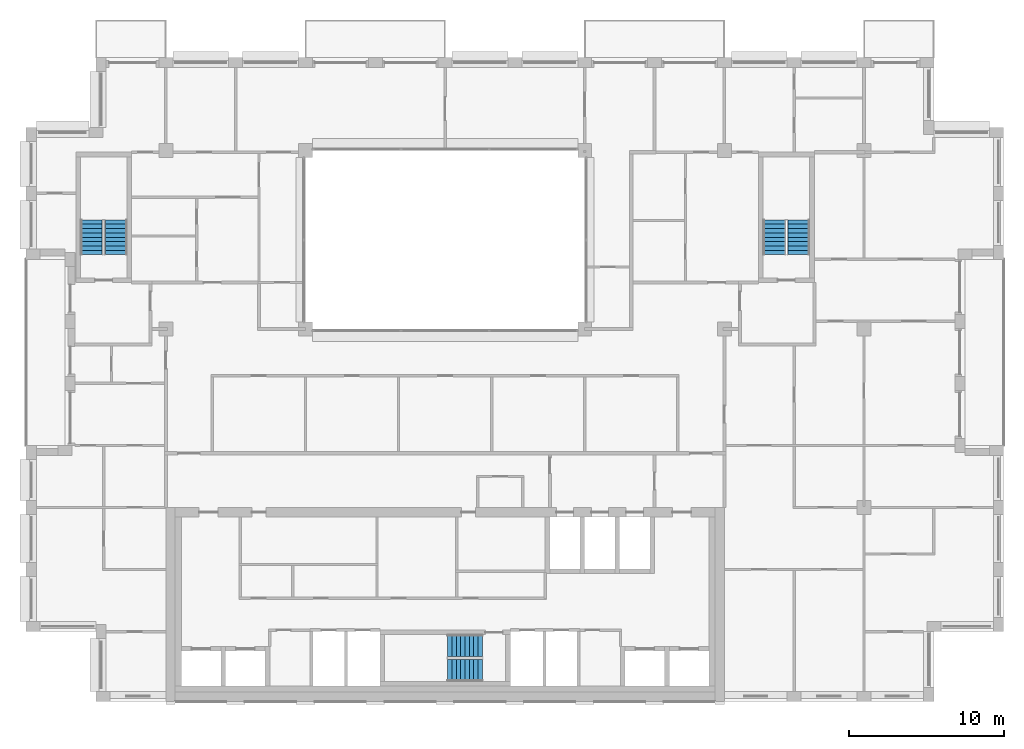
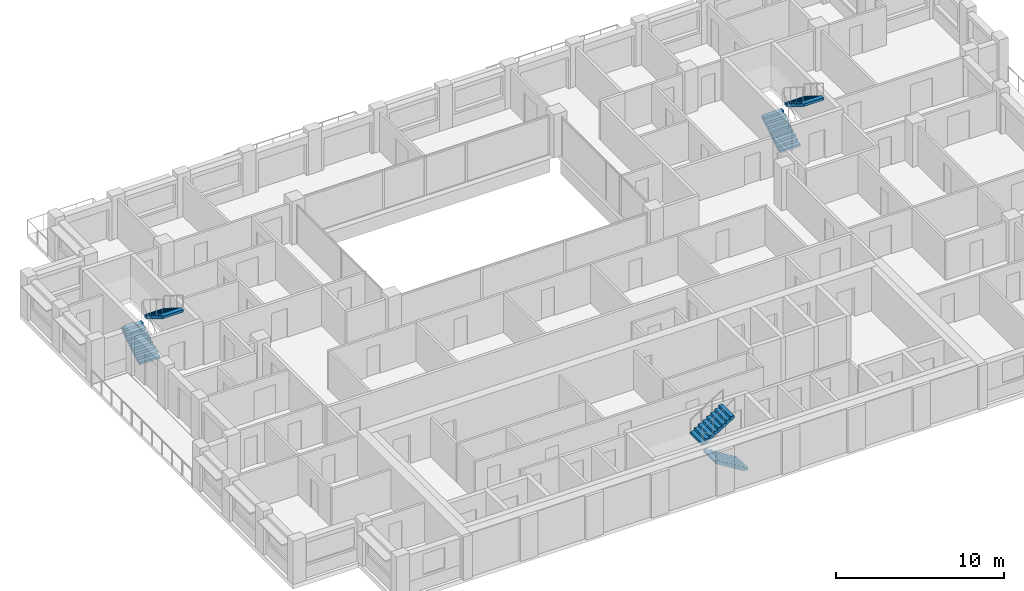
# One storey, part 15 of 16: 6 stair flights, 3 elements without a shape of their own.
"""IFC4 building model written with IfcOpenShell, lengths in metres."""

from ifc_helpers import new_model, si_unit, direction, frame, origin, place, context, subcontext, project, spatial, polyline, outline, extrude, material, type_object, element, aggregate, save


model = new_model("IFC4")

# Units and contexts
model_context = context("Model", 3, precision=1e-05, world=origin(), true_north=direction((0.0, 1.0)))
body_context = subcontext(model_context, "Body", "Model", "MODEL_VIEW")
ifc_project = project(units=[si_unit("LENGTHUNIT", "METRE"), si_unit("AREAUNIT", "SQUARE_METRE"), si_unit("VOLUMEUNIT", "CUBIC_METRE"), si_unit("PLANEANGLEUNIT", "RADIAN"), si_unit("MASSUNIT", "GRAM", prefix="KILO")], contexts=[model_context])

# Site, building, storey
site_placement = place(None, origin())
site = spatial("IfcSite", under=ifc_project, at=site_placement, CompositionType="ELEMENT")
building_placement = place(site_placement, origin())
building = spatial("IfcBuilding", under=site, at=building_placement, Name="Brigalow Station Residences", CompositionType="ELEMENT")
storey_placement = place(building_placement, frame((0.0, 0.0, 198.0)))
storey = spatial("IfcBuildingStorey", under=building, at=storey_placement, Name="L56", CompositionType="ELEMENT", Elevation=198.0)

# Stair, stair flights
ifc_material_1 = material(Name="Concrete C50", Category="concrete")
stair_type = type_object("IfcStairType", Name="EXIT STAIR 1400 2 FLIGHT", PredefinedType="HALF_TURN_STAIR", material=ifc_material_1)
stair_1_placement = place(storey_placement, origin())
stair_1 = element("IfcStair", 1, at=stair_1_placement, inside=storey, type_object=stair_type, Name="EXIT STAIR S2 L56", PredefinedType="HALF_TURN_STAIR")
ifc_material_2 = material(Name="Concrete C50", Category="concrete")
stair_flight_type = type_object("IfcStairFlightType", Name="STAIR FLIGHT 1400", PredefinedType="STRAIGHT", material=ifc_material_2)
stair_flight_1_placement = place(storey_placement, frame((38.39990234375, 2.0, 0.0), z_axis=(0.0, 0.0, 1.0), x_axis=(-1.0, 0.0, 0.0)))
stair_flight_1 = element("IfcStairFlight", 2, at=stair_flight_1_placement, type_object=stair_flight_type, Name="ST-2 flight 1", NumberOfRisers=9, NumberOfTreads=8, PredefinedType="STRAIGHT", RiserHeight=0.175, TreadLength=0.28, context=body_context, shape_type="SweptSolid", body=[
    extrude(outline(polyline([(0.0, 0.0), (0.0, 0.175048828125), (0.280029296875, 0.175048828125), (0.280029296875, 0.35009765625), (0.56005859375, 0.35009765625), (0.56005859375, 0.52490234375), (0.840087890625, 0.52490234375), (0.840087890625, 0.699951171875), (1.1201171875, 0.699951171875), (1.1201171875, 0.875), (1.39990234375, 0.875), (1.39990234375, 1.050048828125), (1.679931640625, 1.050048828125), (1.679931640625, 1.22509765625), (1.9599609375, 1.22509765625), (1.9599609375, 1.39990234375), (2.239990234375, 1.39990234375), (2.239990234375, 1.574951171875), (2.239990234375, 1.22314453125), (0.28271484375, 0.0), (0.0, 0.0)])), frame((0.0, 0.699951171875, 0.0), z_axis=(0.0, -1.0, 0.0), x_axis=(1.0, 0.0, 0.0)), (0.0, 0.0, 1.0), 1.39990234375),
])
stair_flight_2_placement = place(storey_placement, frame((36.159912109375, 3.60009765625, 1.574951171875), z_axis=(0.0, 0.0, 1.0), x_axis=(1.0, 0.0, 0.0)))
stair_flight_2 = element("IfcStairFlight", 3, at=stair_flight_2_placement, type_object=stair_flight_type, Name="ST-2 flight 2", NumberOfRisers=9, NumberOfTreads=8, PredefinedType="STRAIGHT", RiserHeight=0.175, TreadLength=0.28, context=body_context, shape_type="SweptSolid", body=[
    extrude(outline(polyline([(0.0, 0.0), (0.0, 0.175048828125), (0.280029296875, 0.175048828125), (0.280029296875, 0.35009765625), (0.56005859375, 0.35009765625), (0.56005859375, 0.52490234375), (0.840087890625, 0.52490234375), (0.840087890625, 0.699951171875), (1.1201171875, 0.699951171875), (1.1201171875, 0.875), (1.39990234375, 0.875), (1.39990234375, 1.050048828125), (1.679931640625, 1.050048828125), (1.679931640625, 1.22509765625), (1.9599609375, 1.22509765625), (1.9599609375, 1.39990234375), (2.239990234375, 1.39990234375), (2.239990234375, 1.574951171875), (2.239990234375, 1.22314453125), (0.28271484375, 0.0), (0.0, 0.0)])), frame((0.0, 0.699951171875, 0.0), z_axis=(0.0, -1.0, 0.0), x_axis=(1.0, 0.0, 0.0)), (0.0, 0.0, 1.0), 1.39990234375),
])
aggregate(stair_1, [stair_flight_1, stair_flight_2])

stair_2_placement = place(storey_placement, origin())
stair_2 = element("IfcStair", 4, at=stair_2_placement, inside=storey, type_object=stair_type, Name="EXIT STAIR S1 L56", PredefinedType="HALF_TURN_STAIR")
stair_flight_3_placement = place(storey_placement, frame((13.199951171875, 28.800048828125, 0.0), z_axis=(0.0, 0.0, 1.0), x_axis=(0.0, 1.0, 0.0)))
stair_flight_3 = element("IfcStairFlight", 5, at=stair_flight_3_placement, type_object=stair_flight_type, Name="ST-1 flight 1", NumberOfRisers=9, NumberOfTreads=8, PredefinedType="STRAIGHT", RiserHeight=0.175, TreadLength=0.28, context=body_context, shape_type="SweptSolid", body=[
    extrude(outline(polyline([(0.0, 0.0), (0.0, 0.175048828125), (0.280029296875, 0.175048828125), (0.280029296875, 0.35009765625), (0.56005859375, 0.35009765625), (0.56005859375, 0.52490234375), (0.840087890625, 0.52490234375), (0.840087890625, 0.699951171875), (1.1201171875, 0.699951171875), (1.1201171875, 0.875), (1.39990234375, 0.875), (1.39990234375, 1.050048828125), (1.679931640625, 1.050048828125), (1.679931640625, 1.22509765625), (1.9599609375, 1.22509765625), (1.9599609375, 1.39990234375), (2.239990234375, 1.39990234375), (2.239990234375, 1.574951171875), (2.239990234375, 1.22314453125), (0.28271484375, 0.0), (0.0, 0.0)])), frame((0.0, 0.699951171875, 0.0), z_axis=(0.0, -1.0, 0.0), x_axis=(1.0, 0.0, 0.0)), (0.0, 0.0, 1.0), 1.39990234375),
])
stair_flight_4_placement = place(storey_placement, frame((14.800048828125, 31.0400390625, 1.574951171875), z_axis=(0.0, 0.0, 1.0), x_axis=(0.0, -1.0, 0.0)))
stair_flight_4 = element("IfcStairFlight", 6, at=stair_flight_4_placement, type_object=stair_flight_type, Name="ST-1 flight 2", NumberOfRisers=9, NumberOfTreads=8, PredefinedType="STRAIGHT", RiserHeight=0.175, TreadLength=0.28, context=body_context, shape_type="SweptSolid", body=[
    extrude(outline(polyline([(0.0, 0.0), (0.0, 0.175048828125), (0.280029296875, 0.175048828125), (0.280029296875, 0.35009765625), (0.56005859375, 0.35009765625), (0.56005859375, 0.52490234375), (0.840087890625, 0.52490234375), (0.840087890625, 0.699951171875), (1.1201171875, 0.699951171875), (1.1201171875, 0.875), (1.39990234375, 0.875), (1.39990234375, 1.050048828125), (1.679931640625, 1.050048828125), (1.679931640625, 1.22509765625), (1.9599609375, 1.22509765625), (1.9599609375, 1.39990234375), (2.239990234375, 1.39990234375), (2.239990234375, 1.574951171875), (2.239990234375, 1.22314453125), (0.28271484375, 0.0), (0.0, 0.0)])), frame((0.0, 0.699951171875, 0.0), z_axis=(0.0, -1.0, 0.0), x_axis=(1.0, 0.0, 0.0)), (0.0, 0.0, 1.0), 1.39990234375),
])
aggregate(stair_2, [stair_flight_3, stair_flight_4])

stair_3_placement = place(storey_placement, origin())
stair_3 = element("IfcStair", 7, at=stair_3_placement, inside=storey, type_object=stair_type, Name="EXIT STAIR S3 L56", PredefinedType="HALF_TURN_STAIR")
stair_flight_5_placement = place(storey_placement, frame((57.199951171875, 28.800048828125, 0.0), z_axis=(0.0, 0.0, 1.0), x_axis=(0.0, 1.0, 0.0)))
stair_flight_5 = element("IfcStairFlight", 8, at=stair_flight_5_placement, type_object=stair_flight_type, Name="ST-3 flight 1", NumberOfRisers=9, NumberOfTreads=8, PredefinedType="STRAIGHT", RiserHeight=0.175, TreadLength=0.28, context=body_context, shape_type="SweptSolid", body=[
    extrude(outline(polyline([(0.0, 0.0), (0.0, 0.175048828125), (0.280029296875, 0.175048828125), (0.280029296875, 0.35009765625), (0.56005859375, 0.35009765625), (0.56005859375, 0.52490234375), (0.840087890625, 0.52490234375), (0.840087890625, 0.699951171875), (1.1201171875, 0.699951171875), (1.1201171875, 0.875), (1.39990234375, 0.875), (1.39990234375, 1.050048828125), (1.679931640625, 1.050048828125), (1.679931640625, 1.22509765625), (1.9599609375, 1.22509765625), (1.9599609375, 1.39990234375), (2.239990234375, 1.39990234375), (2.239990234375, 1.574951171875), (2.239990234375, 1.22314453125), (0.28271484375, 0.0), (0.0, 0.0)])), frame((0.0, 0.699951171875, 0.0), z_axis=(0.0, -1.0, 0.0), x_axis=(1.0, 0.0, 0.0)), (0.0, 0.0, 1.0), 1.39990234375),
])
stair_flight_6_placement = place(storey_placement, frame((58.800048828125, 31.0400390625, 1.574951171875), z_axis=(0.0, 0.0, 1.0), x_axis=(0.0, -1.0, 0.0)))
stair_flight_6 = element("IfcStairFlight", 9, at=stair_flight_6_placement, type_object=stair_flight_type, Name="ST-3 flight 2", NumberOfRisers=9, NumberOfTreads=8, PredefinedType="STRAIGHT", RiserHeight=0.175, TreadLength=0.28, context=body_context, shape_type="SweptSolid", body=[
    extrude(outline(polyline([(0.0, 0.0), (0.0, 0.175048828125), (0.280029296875, 0.175048828125), (0.280029296875, 0.35009765625), (0.56005859375, 0.35009765625), (0.56005859375, 0.52490234375), (0.840087890625, 0.52490234375), (0.840087890625, 0.699951171875), (1.1201171875, 0.699951171875), (1.1201171875, 0.875), (1.39990234375, 0.875), (1.39990234375, 1.050048828125), (1.679931640625, 1.050048828125), (1.679931640625, 1.22509765625), (1.9599609375, 1.22509765625), (1.9599609375, 1.39990234375), (2.239990234375, 1.39990234375), (2.239990234375, 1.574951171875), (2.239990234375, 1.22314453125), (0.28271484375, 0.0), (0.0, 0.0)])), frame((0.0, 0.699951171875, 0.0), z_axis=(0.0, -1.0, 0.0), x_axis=(1.0, 0.0, 0.0)), (0.0, 0.0, 1.0), 1.39990234375),
])
aggregate(stair_3, [stair_flight_5, stair_flight_6])

save(model, "model.ifc")
